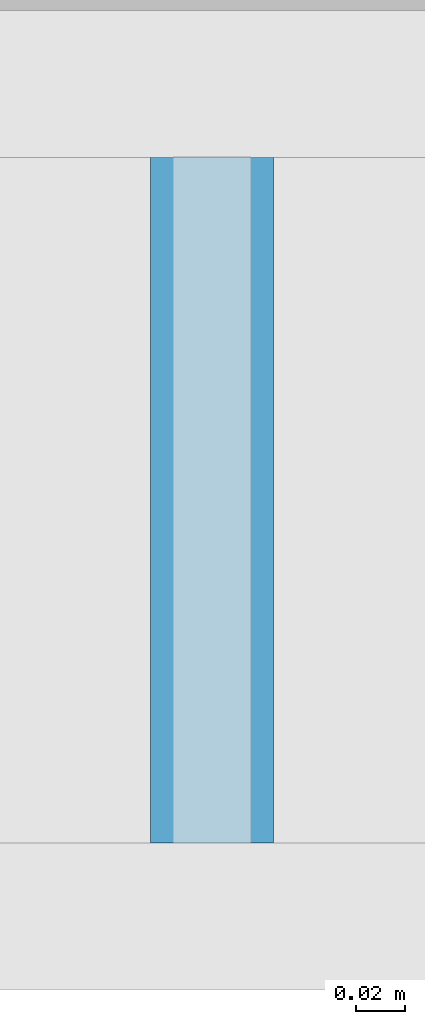
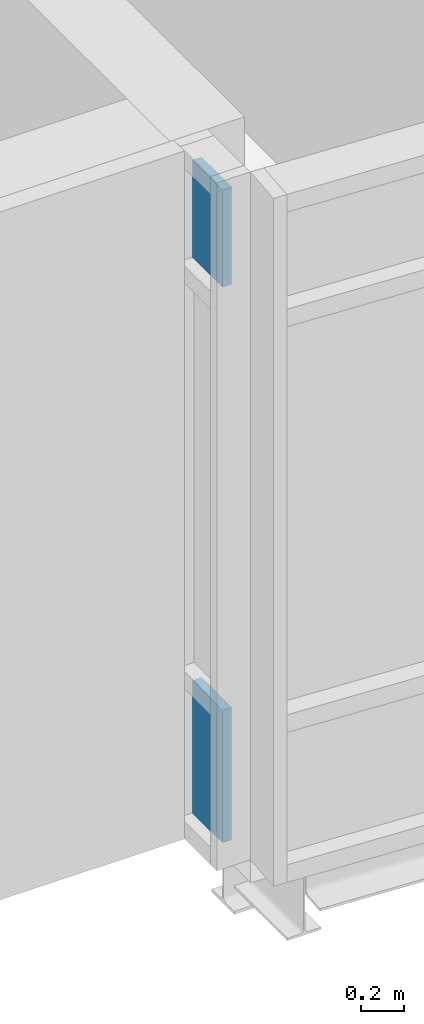
# One storey, part 14 of 21: 2 plates, 1 element without a shape of its own.
"""IFC4 building model written with IfcOpenShell, lengths in metres."""

from ifc_helpers import new_model, si_unit, direction, frame, origin, origin_2d, place, context, subcontext, project, spatial, rectangle, extrude, material, layer, layer_set, type_object, element, aggregate, save


model = new_model("IFC4")

# Units and contexts
model_context = context("Model", 3, precision=1e-05, world=origin(), true_north=direction((0.0, 1.0)))
body_context = subcontext(model_context, "Body", "Model", "MODEL_VIEW")
ifc_project = project(units=[si_unit("LENGTHUNIT", "METRE"), si_unit("AREAUNIT", "SQUARE_METRE"), si_unit("VOLUMEUNIT", "CUBIC_METRE"), si_unit("PLANEANGLEUNIT", "RADIAN"), si_unit("MASSUNIT", "GRAM", prefix="KILO")], contexts=[model_context])

# Site, building, storey
site_placement = place(None, origin())
site = spatial("IfcSite", under=ifc_project, at=site_placement, CompositionType="ELEMENT")
building_placement = place(site_placement, origin())
building = spatial("IfcBuilding", under=site, at=building_placement, Name="Azimuth Sports and Learning Centre", CompositionType="ELEMENT")
storey_placement = place(building_placement, frame((0.0, 0.0, 48.0)))
storey = spatial("IfcBuildingStorey", under=building, at=storey_placement, Name="L10", CompositionType="ELEMENT", Elevation=48.0)

# Curtain wall, plates
ifc_material_1 = material(Name="Aluminium and glass", Category="aluminium")
curtain_wall_type = type_object("IfcCurtainWallType", Name="Curtain wall tower return 180", PredefinedType="NOTDEFINED", material=ifc_material_1)
curtain_wall_placement = place(storey_placement, origin())
curtain_wall = element("IfcCurtainWall", 1, at=curtain_wall_placement, inside=storey, type_object=curtain_wall_type, Name="Curtain wall CW10-001", PredefinedType="NOTDEFINED")
ifc_material_2 = material(Name="Insulated aluminium panel", Category="aluminium")
ifc_layer = layer(ifc_material_2, 0.050048828125)
ifc_layer_set = layer_set([ifc_layer], Name="Insulated aluminium panel")
plate_type = type_object("IfcPlateType", Name="Spandrel panel 50 mm", PredefinedType="CURTAIN_PANEL", material=ifc_layer_set)
plate_1_placement = place(storey_placement, frame((62.909912109375, 89.60009765625, 0.10009765625), z_axis=(0.0, 0.0, 1.0), x_axis=(0.0, -1.0, 0.0)))
plate_1 = element("IfcPlate", 2, at=plate_1_placement, type_object=plate_type, Name="CW10-001 panel 1.1", PredefinedType="CURTAIN_PANEL", context=body_context, shape_type="SweptSolid", body=[
    extrude(rectangle(XDim=0.280029296875, YDim=0.050048828125, at=origin_2d()), origin(), (0.0, 0.0, 1.0), 0.75),
])
plate_2_placement = place(storey_placement, frame((62.909912109375, 89.60009765625, 3.25), z_axis=(0.0, 0.0, 1.0), x_axis=(0.0, -1.0, 0.0)))
plate_2 = element("IfcPlate", 3, at=plate_2_placement, type_object=plate_type, Name="CW10-001 panel 1.3", PredefinedType="CURTAIN_PANEL", context=body_context, shape_type="SweptSolid", body=[
    extrude(rectangle(XDim=0.280029296875, YDim=0.050048828125, at=origin_2d()), origin(), (0.0, 0.0, 1.0), 0.550048828125),
])
aggregate(curtain_wall, [plate_1, plate_2])

save(model, "model.ifc")
